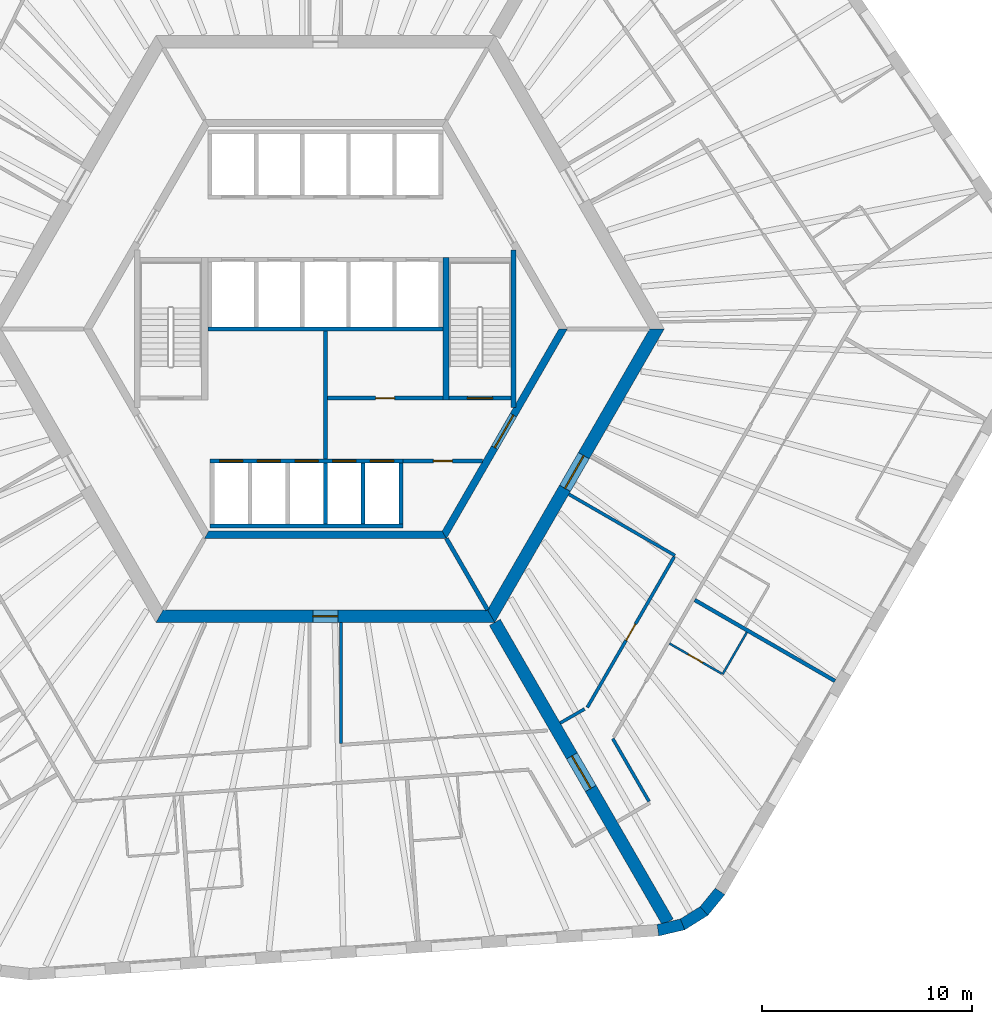
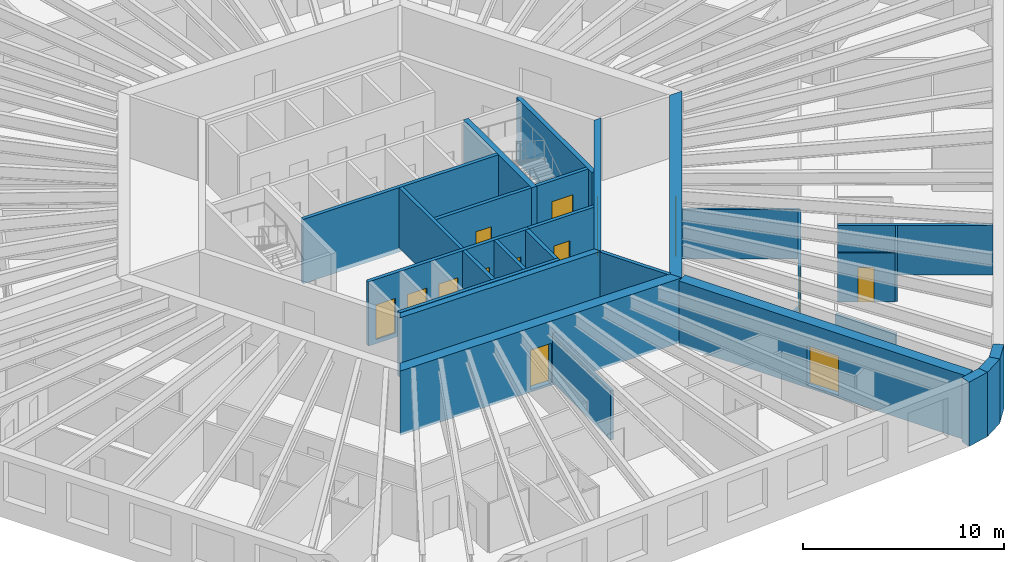
# One storey, part 5 of 12: 29 walls, 14 doors, 14 openings.
"""IFC4 building model written with IfcOpenShell, lengths in metres."""

from ifc_helpers import new_model, si_unit, direction, frame, frame_2d, origin, place, context, subcontext, project, spatial, polyline, rectangle, outline, extrude, material, layer, layer_set, type_object, element, fill, save


model = new_model("IFC4")

# Units and contexts
model_context = context("Model", 3, precision=1e-05, world=origin(), true_north=direction((0.0, 1.0)))
body_context = subcontext(model_context, "Body", "Model", "MODEL_VIEW")
ifc_project = project(units=[si_unit("LENGTHUNIT", "METRE"), si_unit("AREAUNIT", "SQUARE_METRE"), si_unit("VOLUMEUNIT", "CUBIC_METRE"), si_unit("PLANEANGLEUNIT", "RADIAN"), si_unit("MASSUNIT", "GRAM", prefix="KILO")], contexts=[model_context])

# Site, building, storey
site_placement = place(None, origin())
site = spatial("IfcSite", under=ifc_project, at=site_placement, CompositionType="ELEMENT")
building_placement = place(site_placement, origin())
building = spatial("IfcBuilding", under=site, at=building_placement, Name="Tarnside Tower", CompositionType="ELEMENT")
storey_placement = place(building_placement, frame((0.0, 0.0, 88.199951171875)))
storey = spatial("IfcBuildingStorey", under=building, at=storey_placement, Name="L19", CompositionType="ELEMENT", Elevation=88.199951171875)

# Wall
ifc_material_1 = material(Name="Gypsum board partition on steel studs", Category="steel")
ifc_layer_1 = layer(ifc_material_1, 0.10009765625)
ifc_layer_set_1 = layer_set([ifc_layer_1], Name="Bathroom wall 100")
wall_type_1 = type_object("IfcWallType", Name="Bathroom wall 100", PredefinedType="PARTITIONING", material=ifc_layer_set_1)
wall_1_placement = place(storey_placement, frame((20.108154296875, -14.471923828125, 0.0), z_axis=(0.0, 0.0, 1.0), x_axis=(-0.500015210774, -0.866016621662, 0.0)))
element("IfcWall", 1, at=wall_1_placement, inside=storey, type_object=wall_type_1, Name="Bathroom wall 05137", PredefinedType="PARTITIONING", context=body_context, shape_type="SweptSolid", body=[
    extrude(rectangle(XDim=2.31005859375, YDim=0.10009765625, at=frame_2d((1.155029296875, 0.0))), origin(), (0.0, 0.0, 1.0), 2.98779296875),
])

# Wall, opening, door
wall_2_placement = place(storey_placement, frame((18.90966796875, -16.447265625, 0.0), z_axis=(0.0, 0.0, 1.0), x_axis=(-0.866018712932, 0.500011588718, 0.0)))
wall_2 = element("IfcWall", 2, at=wall_2_placement, inside=storey, type_object=wall_type_1, Name="Bathroom wall 05138", PredefinedType="PARTITIONING", context=body_context, shape_type="SweptSolid", body=[
    extrude(rectangle(XDim=2.875, YDim=0.10009765625, at=frame_2d((1.4375, 0.0))), origin(), (0.0, 0.0, 1.0), 2.98779296875),
])
opening_1_placement = place(wall_2_placement, frame((1.050048828125, 0.0, 0.0)))
opening_1 = element("IfcOpeningElement", 3, at=opening_1_placement, cuts=wall_2, Name="Opening D-B1", PredefinedType="OPENING", context=body_context, shape_type="SweptSolid", body=[
    extrude(rectangle(XDim=0.800048828125, YDim=2.10009765625, at=frame_2d((0.39990234375, 1.050048828125))), frame((0.0, 0.06005859375, 0.0), z_axis=(0.0, -1.0, 0.0), x_axis=(1.0, 0.0, 0.0)), (0.0, 0.0, 1.0), 0.1201171875),
])
ifc_material_2 = material(Name="Timber door leaf", Category="wood")
door_type_1 = type_object("IfcDoorType", Name="Bathroom door 800", OperationType="NOTDEFINED", PredefinedType="DOOR", material=ifc_material_2)
door_1_placement = place(opening_1_placement, origin())
door_1 = element("IfcDoor", 4, at=door_1_placement, inside=storey, type_object=door_type_1, Name="Bathroom door 05031", OperationType="SINGLE_SWING_LEFT", OverallHeight=2.10009765625, OverallWidth=0.800048828125, PredefinedType="DOOR", context=body_context, shape_type="SweptSolid", body=[
    extrude(rectangle(XDim=0.800048828125, YDim=2.10009765625, at=frame_2d((0.39990234375, 1.050048828125))), frame((0.0, 0.02490234375, 0.0), z_axis=(0.0, -1.0, 0.0), x_axis=(1.0, 0.0, 0.0)), (0.0, 0.0, 1.0), 0.050048828125),
])
fill(opening_1, door_1)

# Wall
ifc_material_3 = material(Name="Concrete C50/60", Category="concrete")
ifc_layer_2 = layer(ifc_material_3, 0.35009765625)
ifc_layer_set_2 = layer_set([ifc_layer_2], Name="Core block wall 350 C50/60")
wall_type_2 = type_object("IfcWallType", Name="Core block wall 350 C50/60", PredefinedType="SHEAR", material=ifc_layer_set_2)
wall_3_placement = place(storey_placement, frame((-5.672607421875, -9.824951171875, -0.14990234375), z_axis=(0.0, 0.0, 1.0), x_axis=(1.0, 0.0, 0.0)))
element("IfcWall", 5, at=wall_3_placement, inside=storey, type_object=wall_type_2, Name="L19 core block wall face 4", PredefinedType="SHEAR", context=body_context, shape_type="SweptSolid", body=[
    extrude(outline(polyline([(-0.10107421875, -0.175048828125), (11.4462890625, -0.175048828125), (11.244140625, 0.175048828125), (0.10107421875, 0.175048828125), (-0.10107421875, -0.175048828125)])), origin(), (0.0, 0.0, 1.0), 3.89990234375),
])

# Wall, opening, door
wall_4_placement = place(storey_placement, frame((5.672607421875, -9.824951171875, -0.14990234375), z_axis=(0.0, 0.0, 1.0), x_axis=(0.499995046907, 0.866028263435, 0.0)))
wall_4 = element("IfcWall", 6, at=wall_4_placement, inside=storey, type_object=wall_type_2, Name="L19 core block wall face 5", PredefinedType="SHEAR", context=body_context, shape_type="SweptSolid", body=[
    extrude(outline(polyline([(-0.10107421875, -0.175048828125), (11.44580078125, -0.175048828125), (11.24365234375, 0.175048828125), (0.10107421875, 0.175048828125), (-0.10107421875, -0.175048828125)])), origin(), (0.0, 0.0, 1.0), 3.89990234375),
])
opening_2_placement = place(wall_4_placement, frame((4.80126953125, 0.0, 0.14990234375)))
opening_2 = element("IfcOpeningElement", 7, at=opening_2_placement, cuts=wall_4, Name="Opening CD-FFL", PredefinedType="OPENING", context=body_context, shape_type="SweptSolid", body=[
    extrude(rectangle(XDim=1.800048828125, YDim=2.39990234375, at=frame_2d((0.89990234375, 1.199951171875))), frame((0.0, 0.18505859375, 0.0), z_axis=(0.0, -1.0, 0.0), x_axis=(1.0, 0.0, 0.0)), (0.0, 0.0, 1.0), 0.3701171875),
])
ifc_material_4 = material(Name="Steel fire door", Category="steel")
door_type_2 = type_object("IfcDoorType", Name="Firefighting lobby double door FD60S 1800x2400", OperationType="NOTDEFINED", PredefinedType="DOOR", material=ifc_material_4)
door_2_placement = place(opening_2_placement, origin())
door_2 = element("IfcDoor", 8, at=door_2_placement, inside=storey, type_object=door_type_2, Name="L19 lobby block door P4", OperationType="DOUBLE_DOOR_SINGLE_SWING", OverallHeight=2.39990234375, OverallWidth=1.800048828125, PredefinedType="DOOR", context=body_context, shape_type="SweptSolid", body=[
    extrude(rectangle(XDim=1.800048828125, YDim=2.39990234375, at=frame_2d((0.89990234375, 1.199951171875))), frame((0.0, 0.02490234375, 0.0), z_axis=(0.0, -1.0, 0.0), x_axis=(1.0, 0.0, 0.0)), (0.0, 0.0, 1.0), 0.050048828125),
])
fill(opening_2, door_2)

ifc_material_5 = material(Name="Concrete C40/50", Category="concrete")
ifc_layer_3 = layer(ifc_material_5, 0.199951171875)
ifc_layer_set_3 = layer_set([ifc_layer_3], Name="Core room partition 200 C40/50")
wall_type_3 = type_object("IfcWallType", Name="Core room partition 200 C40/50", PredefinedType="PARTITIONING", material=ifc_layer_set_3)
wall_5_placement = place(storey_placement, frame((0.10009765625, -3.300048828125, 0.0), z_axis=(0.0, 0.0, 1.0), x_axis=(1.0, 0.0, 0.0)))
wall_5 = element("IfcWall", 9, at=wall_5_placement, inside=storey, type_object=wall_type_3, Name="L19 core partition R3S1", PredefinedType="PARTITIONING", context=body_context, shape_type="SweptSolid", body=[
    extrude(rectangle(XDim=5.5, YDim=0.199951171875, at=frame_2d((2.75, 0.0))), origin(), (0.0, 0.0, 1.0), 3.650146484375),
])
opening_3_placement = place(wall_5_placement, frame((2.300048828125, 0.0, 0.0)))
opening_3 = element("IfcOpeningElement", 10, at=opening_3_placement, cuts=wall_5, Name="Opening CD-room", PredefinedType="OPENING", context=body_context, shape_type="SweptSolid", body=[
    extrude(rectangle(XDim=0.89990234375, YDim=2.10009765625, at=frame_2d((0.449951171875, 1.050048828125))), frame((0.0, 0.10986328125, 0.0), z_axis=(0.0, -1.0, 0.0), x_axis=(1.0, 0.0, 0.0)), (0.0, 0.0, 1.0), 0.219970703125),
])
door_type_3 = type_object("IfcDoorType", Name="Room door FD60 900x2100", OperationType="NOTDEFINED", PredefinedType="DOOR", material=ifc_material_4)
door_3_placement = place(opening_3_placement, origin())
door_3 = element("IfcDoor", 11, at=door_3_placement, inside=storey, type_object=door_type_3, Name="L19 core room door SR1", OperationType="SINGLE_SWING_LEFT", OverallHeight=2.10009765625, OverallWidth=0.89990234375, PredefinedType="DOOR", context=body_context, shape_type="SweptSolid", body=[
    extrude(rectangle(XDim=0.89990234375, YDim=2.10009765625, at=frame_2d((0.449951171875, 1.050048828125))), frame((0.0, 0.02490234375, 0.0), z_axis=(0.0, -1.0, 0.0), x_axis=(1.0, 0.0, 0.0)), (0.0, 0.0, 1.0), 0.050048828125),
])
fill(opening_3, door_3)

# Wall
wall_6_placement = place(storey_placement, frame((0.0, -6.199951171875, 0.0), z_axis=(0.0, 0.0, 1.0), x_axis=(0.0, 1.0, 0.0)))
element("IfcWall", 12, at=wall_6_placement, inside=storey, type_object=wall_type_3, Name="L19 core partition X0", PredefinedType="PARTITIONING", context=body_context, shape_type="SweptSolid", body=[
    extrude(rectangle(XDim=6.099853515625, YDim=0.199951171875, at=frame_2d((3.0498046875, 0.0))), origin(), (0.0, 0.0, 1.0), 3.650146484375),
])

# Wall, opening, door
wall_7_placement = place(storey_placement, frame((3.699951171875, -6.300048828125, 0.0), z_axis=(0.0, 0.0, 1.0), x_axis=(1.0, 0.0, 0.0)))
wall_7 = element("IfcWall", 13, at=wall_7_placement, inside=storey, type_object=wall_type_3, Name="L19 core partition R4X", PredefinedType="PARTITIONING", context=body_context, shape_type="SweptSolid", body=[
    extrude(rectangle(XDim=3.8056640625, YDim=0.199951171875, at=frame_2d((1.90283203125, 0.0))), origin(), (0.0, 0.0, 1.0), 3.650146484375),
])
opening_4_placement = place(wall_7_placement, frame((1.452880859375, 0.0, 0.0)))
opening_4 = element("IfcOpeningElement", 14, at=opening_4_placement, cuts=wall_7, Name="Opening CD-room", PredefinedType="OPENING", context=body_context, shape_type="SweptSolid", body=[
    extrude(rectangle(XDim=0.89990234375, YDim=2.10009765625, at=frame_2d((0.449951171875, 1.050048828125))), frame((0.0, 0.10986328125, 0.0), z_axis=(0.0, -1.0, 0.0), x_axis=(1.0, 0.0, 0.0)), (0.0, 0.0, 1.0), 0.219970703125),
])
door_4_placement = place(opening_4_placement, origin())
door_4 = element("IfcDoor", 15, at=door_4_placement, inside=storey, type_object=door_type_3, Name="L19 core room door RX", OperationType="SINGLE_SWING_LEFT", OverallHeight=2.10009765625, OverallWidth=0.89990234375, PredefinedType="DOOR", context=body_context, shape_type="SweptSolid", body=[
    extrude(rectangle(XDim=0.89990234375, YDim=2.10009765625, at=frame_2d((0.449951171875, 1.050048828125))), frame((0.0, 0.02490234375, 0.0), z_axis=(0.0, -1.0, 0.0), x_axis=(1.0, 0.0, 0.0)), (0.0, 0.0, 1.0), 0.050048828125),
])
fill(opening_4, door_4)

ifc_material_6 = material(Name="Concrete C80/95", Category="concrete")
ifc_layer_4 = layer(ifc_material_6, 0.60009765625)
ifc_layer_set_4 = layer_set([ifc_layer_4], Name="Core wall Z1 600 C80/95")
wall_type_4 = type_object("IfcWallType", Name="Core wall Z1 600 C80/95", PredefinedType="SHEAR", material=ifc_layer_set_4)
wall_8_placement = place(storey_placement, frame((-7.90966796875, -13.699951171875, -0.14990234375), z_axis=(0.0, 0.0, 1.0), x_axis=(1.0, 0.0, 0.0)))
wall_8 = element("IfcWall", 16, at=wall_8_placement, inside=storey, type_object=wall_type_4, Name="L19 core wall face 4", PredefinedType="SHEAR", context=body_context, shape_type="SweptSolid", body=[
    extrude(outline(polyline([(-0.17333984375, -0.300048828125), (15.99267578125, -0.300048828125), (15.64599609375, 0.300048828125), (0.17333984375, 0.300048828125), (-0.17333984375, -0.300048828125)])), origin(), (0.0, 0.0, 1.0), 3.89990234375),
])
opening_5_placement = place(wall_8_placement, frame((7.309814453125, 0.0, 0.14990234375)))
opening_5 = element("IfcOpeningElement", 17, at=opening_5_placement, cuts=wall_8, Name="Opening CD-RSR", PredefinedType="OPENING", context=body_context, shape_type="SweptSolid", body=[
    extrude(rectangle(XDim=1.199951171875, YDim=2.39990234375, at=frame_2d((0.60009765625, 1.199951171875))), frame((0.0, 0.31005859375, 0.0), z_axis=(0.0, -1.0, 0.0), x_axis=(1.0, 0.0, 0.0)), (0.0, 0.0, 1.0), 0.6201171875),
])
door_type_4 = type_object("IfcDoorType", Name="Riser door FD60 1200x2400", OperationType="NOTDEFINED", PredefinedType="DOOR", material=ifc_material_4)
door_5_placement = place(opening_5_placement, origin())
door_5 = element("IfcDoor", 18, at=door_5_placement, inside=storey, type_object=door_type_4, Name="L19 core door S6", OperationType="SINGLE_SWING_LEFT", OverallHeight=2.39990234375, OverallWidth=1.199951171875, PredefinedType="DOOR", context=body_context, shape_type="SweptSolid", body=[
    extrude(rectangle(XDim=1.199951171875, YDim=2.39990234375, at=frame_2d((0.60009765625, 1.199951171875))), frame((0.0, 0.02490234375, 0.0), z_axis=(0.0, -1.0, 0.0), x_axis=(1.0, 0.0, 0.0)), (0.0, 0.0, 1.0), 0.050048828125),
])
fill(opening_5, door_5)

wall_9_placement = place(storey_placement, frame((7.90966796875, -13.699951171875, -0.14990234375), z_axis=(0.0, 0.0, 1.0), x_axis=(0.499999880136, 0.866025472988, 0.0)))
wall_9 = element("IfcWall", 19, at=wall_9_placement, inside=storey, type_object=wall_type_4, Name="L19 core wall face 5", PredefinedType="SHEAR", context=body_context, shape_type="SweptSolid", body=[
    extrude(outline(polyline([(-0.17333984375, -0.300048828125), (15.99267578125, -0.300048828125), (15.64599609375, 0.300048828125), (0.17333984375, 0.300048828125), (-0.17333984375, -0.300048828125)])), origin(), (0.0, 0.0, 1.0), 3.89990234375),
])
opening_6_placement = place(wall_9_placement, frame((7.03857421875, 0.0, 0.14990234375)))
opening_6 = element("IfcOpeningElement", 20, at=opening_6_placement, cuts=wall_9, Name="Opening CD-FFL", PredefinedType="OPENING", context=body_context, shape_type="SweptSolid", body=[
    extrude(rectangle(XDim=1.800048828125, YDim=2.39990234375, at=frame_2d((0.89990234375, 1.199951171875))), frame((0.0, 0.31005859375, 0.0), z_axis=(0.0, -1.0, 0.0), x_axis=(1.0, 0.0, 0.0)), (0.0, 0.0, 1.0), 0.6201171875),
])
door_6_placement = place(opening_6_placement, origin())
door_6 = element("IfcDoor", 21, at=door_6_placement, inside=storey, type_object=door_type_2, Name="L19 core door P4", OperationType="DOUBLE_DOOR_SINGLE_SWING", OverallHeight=2.39990234375, OverallWidth=1.800048828125, PredefinedType="DOOR", context=body_context, shape_type="SweptSolid", body=[
    extrude(rectangle(XDim=1.800048828125, YDim=2.39990234375, at=frame_2d((0.89990234375, 1.199951171875))), frame((0.0, 0.02490234375, 0.0), z_axis=(0.0, -1.0, 0.0), x_axis=(1.0, 0.0, 0.0)), (0.0, 0.0, 1.0), 0.050048828125),
])
fill(opening_6, door_6)

wall_10_placement = place(storey_placement, frame((8.0830078125, -14.0, -0.14990234375), z_axis=(0.0, 0.0, 1.0), x_axis=(0.499997680643, -0.866026742862, 0.0)))
wall_10 = element("IfcWall", 22, at=wall_10_placement, inside=storey, type_object=wall_type_4, Name="L19 spine wall 3", PredefinedType="SHEAR", context=body_context, shape_type="SweptSolid", body=[
    extrude(rectangle(XDim=16.5087890625, YDim=0.60009765625, at=frame_2d((8.25439453125, 0.0))), origin(), (0.0, 0.0, 1.0), 3.89990234375),
])
opening_7_placement = place(wall_10_placement, frame((7.3544921875, 0.0, 0.14990234375)))
opening_7 = element("IfcOpeningElement", 23, at=opening_7_placement, cuts=wall_10, Name="Opening CD-SPN", PredefinedType="OPENING", context=body_context, shape_type="SweptSolid", body=[
    extrude(rectangle(XDim=1.800048828125, YDim=2.39990234375, at=frame_2d((0.89990234375, 1.199951171875))), frame((0.0, 0.31005859375, 0.0), z_axis=(0.0, -1.0, 0.0), x_axis=(1.0, 0.0, 0.0)), (0.0, 0.0, 1.0), 0.6201171875),
])
door_type_5 = type_object("IfcDoorType", Name="Spine passage double door FD60 1800x2400", OperationType="NOTDEFINED", PredefinedType="DOOR", material=ifc_material_4)
door_7_placement = place(opening_7_placement, origin())
door_7 = element("IfcDoor", 24, at=door_7_placement, inside=storey, type_object=door_type_5, Name="L19 spine passage door 3", OperationType="DOUBLE_DOOR_SINGLE_SWING", OverallHeight=2.39990234375, OverallWidth=1.800048828125, PredefinedType="DOOR", context=body_context, shape_type="SweptSolid", body=[
    extrude(rectangle(XDim=1.800048828125, YDim=2.39990234375, at=frame_2d((0.89990234375, 1.199951171875))), frame((0.0, 0.02490234375, 0.0), z_axis=(0.0, -1.0, 0.0), x_axis=(1.0, 0.0, 0.0)), (0.0, 0.0, 1.0), 0.050048828125),
])
fill(opening_7, door_7)

# Walls
ifc_layer_5 = layer(ifc_material_1, 0.14990234375)
ifc_layer_set_5 = layer_set([ifc_layer_5], Name="Corridor wall 150 EI 60")
wall_type_5 = type_object("IfcWallType", Name="Corridor wall 150 EI 60", PredefinedType="PARTITIONING", material=ifc_layer_set_5)
wall_11_placement = place(storey_placement, frame((0.75, -19.770751953125, 0.0), z_axis=(0.0, 0.0, 1.0), x_axis=(0.0, 1.0, 0.0)))
element("IfcWall", 25, at=wall_11_placement, inside=storey, type_object=wall_type_5, Name="Corridor wall 05054", PredefinedType="PARTITIONING", context=body_context, shape_type="SweptSolid", body=[
    extrude(rectangle(XDim=5.770751953125, YDim=0.14990234375, at=frame_2d((2.88525390625, 0.0))), origin(), (0.0, 0.0, 1.0), 2.98779296875),
])
wall_12_placement = place(storey_placement, frame((15.44140625, -22.545166015625, 0.0), z_axis=(0.0, 0.0, 1.0), x_axis=(-0.500003541824, 0.866023358902, 0.0)))
element("IfcWall", 26, at=wall_12_placement, inside=storey, type_object=wall_type_5, Name="Corridor wall 05056", PredefinedType="PARTITIONING", context=body_context, shape_type="SweptSolid", body=[
    extrude(rectangle(XDim=3.45849609375, YDim=0.14990234375, at=frame_2d((1.729248046875, 0.0))), origin(), (0.0, 0.0, 1.0), 2.98779296875),
])
wall_13_placement = place(storey_placement, frame((11.61376953125, -7.88427734375, 0.0), z_axis=(0.0, 0.0, 1.0), x_axis=(0.866018092707, -0.500012662943, 0.0)))
element("IfcWall", 27, at=wall_13_placement, inside=storey, type_object=wall_type_5, Name="Corridor wall 05074", PredefinedType="PARTITIONING", context=body_context, shape_type="SweptSolid", body=[
    extrude(rectangle(XDim=5.849853515625, YDim=0.14990234375, at=frame_2d((2.9248046875, 0.0))), origin(), (0.0, 0.0, 1.0), 2.98779296875),
])

# Wall, opening, door
wall_14_placement = place(storey_placement, frame((16.642578125, -10.874267578125, 0.0), z_axis=(0.0, 0.0, 1.0), x_axis=(-0.50000192383, -0.866024293058, 0.0)))
wall_14 = element("IfcWall", 28, at=wall_14_placement, inside=storey, type_object=wall_type_5, Name="Corridor wall 05075", PredefinedType="PARTITIONING", context=body_context, shape_type="SweptSolid", body=[
    extrude(rectangle(XDim=8.29296875, YDim=0.14990234375, at=frame_2d((4.146484375, 0.0))), origin(), (0.0, 0.0, 1.0), 2.98779296875),
])
opening_8_placement = place(wall_14_placement, frame((3.696533203125, 0.0, 0.0)))
opening_8 = element("IfcOpeningElement", 29, at=opening_8_placement, cuts=wall_14, Name="Opening D-S1", PredefinedType="OPENING", context=body_context, shape_type="SweptSolid", body=[
    extrude(rectangle(XDim=0.89990234375, YDim=2.10009765625, at=frame_2d((0.449951171875, 1.050048828125))), frame((0.0, 0.0849609375, 0.0), z_axis=(0.0, -1.0, 0.0), x_axis=(1.0, 0.0, 0.0)), (0.0, 0.0, 1.0), 0.169921875),
])
door_type_6 = type_object("IfcDoorType", Name="Service room door 900 FD30S", OperationType="NOTDEFINED", PredefinedType="DOOR", material=ifc_material_2)
door_8_placement = place(opening_8_placement, origin())
door_8 = element("IfcDoor", 30, at=door_8_placement, inside=storey, type_object=door_type_6, Name="Service door 05051", OperationType="SINGLE_SWING_RIGHT", OverallHeight=2.10009765625, OverallWidth=0.89990234375, PredefinedType="DOOR", context=body_context, shape_type="SweptSolid", body=[
    extrude(rectangle(XDim=0.89990234375, YDim=2.10009765625, at=frame_2d((0.449951171875, 1.050048828125))), frame((0.0, 0.02490234375, 0.0), z_axis=(0.0, -1.0, 0.0), x_axis=(1.0, 0.0, 0.0)), (0.0, 0.0, 1.0), 0.050048828125),
])
fill(opening_8, door_8)

# Walls
wall_15_placement = place(storey_placement, frame((12.3662109375, -18.131103515625, 0.0), z_axis=(0.0, 0.0, 1.0), x_axis=(-0.866043397086, -0.499968833392, 0.0)))
element("IfcWall", 31, at=wall_15_placement, inside=storey, type_object=wall_type_5, Name="Corridor wall 05076", PredefinedType="PARTITIONING", context=body_context, shape_type="SweptSolid", body=[
    extrude(rectangle(XDim=1.34375, YDim=0.14990234375, at=frame_2d((0.671875, 0.0))), origin(), (0.0, 0.0, 1.0), 2.98779296875),
])
ifc_layer_6 = layer(ifc_material_1, 0.179931640625)
ifc_layer_set_6 = layer_set([ifc_layer_6], Name="Demising wall 180 EI 60")
wall_type_6 = type_object("IfcWallType", Name="Demising wall 180 EI 60", PredefinedType="PARTITIONING", material=ifc_layer_set_6)
wall_16_placement = place(storey_placement, frame((24.31005859375, -16.7939453125, 0.0), z_axis=(0.0, 0.0, 1.0), x_axis=(-0.866027174938, 0.499996932259, 0.0)))
element("IfcWall", 32, at=wall_16_placement, inside=storey, type_object=wall_type_6, Name="Demising wall 05139", PredefinedType="PARTITIONING", context=body_context, shape_type="SweptSolid", body=[
    extrude(rectangle(XDim=7.72509765625, YDim=0.179931640625, at=frame_2d((3.862548828125, 0.0))), origin(), (0.0, 0.0, 1.0), 2.98779296875),
])
ifc_layer_7 = layer(ifc_material_5, 0.199951171875)
ifc_layer_set_7 = layer_set([ifc_layer_7], Name="Lift shaft wall 200 C40/50")
wall_type_7 = type_object("IfcWallType", Name="Lift shaft wall 200 C40/50", PredefinedType="SHEAR", material=ifc_layer_set_7)
wall_17_placement = place(storey_placement, frame((-5.60009765625, 0.0, -0.25), z_axis=(0.0, 0.0, 1.0), x_axis=(1.0, 0.0, 0.0)))
element("IfcWall", 33, at=wall_17_placement, inside=storey, type_object=wall_type_7, Name="L19 lift shaft back wall R2", PredefinedType="SHEAR", context=body_context, shape_type="SweptSolid", body=[
    extrude(rectangle(XDim=11.2001953125, YDim=0.199951171875, at=frame_2d((5.60009765625, 0.0))), origin(), (0.0, 0.0, 1.0), 3.900146484375),
])

# Wall, openings, doors
wall_18_placement = place(storey_placement, frame((-5.5, -6.300048828125, -0.25), z_axis=(0.0, 0.0, 1.0), x_axis=(1.0, 0.0, 0.0)))
wall_18 = element("IfcWall", 34, at=wall_18_placement, inside=storey, type_object=wall_type_7, Name="L19 lift shaft front wall R4", PredefinedType="SHEAR", context=body_context, shape_type="SweptSolid", body=[
    extrude(rectangle(XDim=9.199951171875, YDim=0.199951171875, at=frame_2d((4.60009765625, 0.0))), origin(), (0.0, 0.0, 1.0), 3.900146484375),
])
opening_9_placement = place(wall_18_placement, frame((0.449951171875, 0.0, 0.25)))
opening_9 = element("IfcOpeningElement", 35, at=opening_9_placement, cuts=wall_18, Name="Opening LDF", PredefinedType="OPENING", context=body_context, shape_type="SweptSolid", body=[
    extrude(rectangle(XDim=1.10009765625, YDim=2.10009765625, at=frame_2d((0.550048828125, 1.050048828125))), frame((0.0, 0.10986328125, 0.0), z_axis=(0.0, -1.0, 0.0), x_axis=(1.0, 0.0, 0.0)), (0.0, 0.0, 1.0), 0.219970703125),
])
opening_10_placement = place(wall_18_placement, frame((2.25, 0.0, 0.25)))
opening_10 = element("IfcOpeningElement", 36, at=opening_10_placement, cuts=wall_18, Name="Opening LDF", PredefinedType="OPENING", context=body_context, shape_type="SweptSolid", body=[
    extrude(rectangle(XDim=1.10009765625, YDim=2.10009765625, at=frame_2d((0.550048828125, 1.050048828125))), frame((0.0, 0.10986328125, 0.0), z_axis=(0.0, -1.0, 0.0), x_axis=(1.0, 0.0, 0.0)), (0.0, 0.0, 1.0), 0.219970703125),
])
opening_11_placement = place(wall_18_placement, frame((4.050048828125, 0.0, 0.25)))
opening_11 = element("IfcOpeningElement", 37, at=opening_11_placement, cuts=wall_18, Name="Opening LDF", PredefinedType="OPENING", context=body_context, shape_type="SweptSolid", body=[
    extrude(rectangle(XDim=1.10009765625, YDim=2.10009765625, at=frame_2d((0.550048828125, 1.050048828125))), frame((0.0, 0.10986328125, 0.0), z_axis=(0.0, -1.0, 0.0), x_axis=(1.0, 0.0, 0.0)), (0.0, 0.0, 1.0), 0.219970703125),
])
opening_12_placement = place(wall_18_placement, frame((5.85009765625, 0.0, 0.25)))
opening_12 = element("IfcOpeningElement", 38, at=opening_12_placement, cuts=wall_18, Name="Opening LDF", PredefinedType="OPENING", context=body_context, shape_type="SweptSolid", body=[
    extrude(rectangle(XDim=1.10009765625, YDim=2.10009765625, at=frame_2d((0.550048828125, 1.050048828125))), frame((0.0, 0.10986328125, 0.0), z_axis=(0.0, -1.0, 0.0), x_axis=(1.0, 0.0, 0.0)), (0.0, 0.0, 1.0), 0.219970703125),
])
opening_13_placement = place(wall_18_placement, frame((7.64990234375, 0.0, 0.25)))
opening_13 = element("IfcOpeningElement", 39, at=opening_13_placement, cuts=wall_18, Name="Opening LDF", PredefinedType="OPENING", context=body_context, shape_type="SweptSolid", body=[
    extrude(rectangle(XDim=1.10009765625, YDim=2.10009765625, at=frame_2d((0.550048828125, 1.050048828125))), frame((0.0, 0.10986328125, 0.0), z_axis=(0.0, -1.0, 0.0), x_axis=(1.0, 0.0, 0.0)), (0.0, 0.0, 1.0), 0.219970703125),
])
ifc_material_7 = material(Name="Stainless steel", Category="steel")
door_type_7 = type_object("IfcDoorType", Name="Lift landing door 1100x2100 EI 120", OperationType="NOTDEFINED", PredefinedType="DOOR", material=ifc_material_7)
door_9_placement = place(opening_9_placement, origin())
door_9 = element("IfcDoor", 40, at=door_9_placement, inside=storey, type_object=door_type_7, Name="Firefighting lift 1 landing door L19", OperationType="SLIDING_TO_LEFT", OverallHeight=2.10009765625, OverallWidth=1.10009765625, PredefinedType="DOOR", context=body_context, shape_type="SweptSolid", body=[
    extrude(rectangle(XDim=1.10009765625, YDim=2.10009765625, at=frame_2d((0.550048828125, 1.050048828125))), frame((0.0, 0.02490234375, 0.0), z_axis=(0.0, -1.0, 0.0), x_axis=(1.0, 0.0, 0.0)), (0.0, 0.0, 1.0), 0.050048828125),
])
fill(opening_9, door_9)
door_10_placement = place(opening_10_placement, origin())
door_10 = element("IfcDoor", 41, at=door_10_placement, inside=storey, type_object=door_type_7, Name="Firefighting lift 2 landing door L19", OperationType="SLIDING_TO_LEFT", OverallHeight=2.10009765625, OverallWidth=1.10009765625, PredefinedType="DOOR", context=body_context, shape_type="SweptSolid", body=[
    extrude(rectangle(XDim=1.10009765625, YDim=2.10009765625, at=frame_2d((0.550048828125, 1.050048828125))), frame((0.0, 0.02490234375, 0.0), z_axis=(0.0, -1.0, 0.0), x_axis=(1.0, 0.0, 0.0)), (0.0, 0.0, 1.0), 0.050048828125),
])
fill(opening_10, door_10)
door_11_placement = place(opening_11_placement, origin())
door_11 = element("IfcDoor", 42, at=door_11_placement, inside=storey, type_object=door_type_7, Name="Firefighting lift 3 landing door L19", OperationType="SLIDING_TO_LEFT", OverallHeight=2.10009765625, OverallWidth=1.10009765625, PredefinedType="DOOR", context=body_context, shape_type="SweptSolid", body=[
    extrude(rectangle(XDim=1.10009765625, YDim=2.10009765625, at=frame_2d((0.550048828125, 1.050048828125))), frame((0.0, 0.02490234375, 0.0), z_axis=(0.0, -1.0, 0.0), x_axis=(1.0, 0.0, 0.0)), (0.0, 0.0, 1.0), 0.050048828125),
])
fill(opening_11, door_11)
door_12_placement = place(opening_12_placement, origin())
door_12 = element("IfcDoor", 43, at=door_12_placement, inside=storey, type_object=door_type_7, Name="Firefighting lift 4 landing door L19", OperationType="SLIDING_TO_LEFT", OverallHeight=2.10009765625, OverallWidth=1.10009765625, PredefinedType="DOOR", context=body_context, shape_type="SweptSolid", body=[
    extrude(rectangle(XDim=1.10009765625, YDim=2.10009765625, at=frame_2d((0.550048828125, 1.050048828125))), frame((0.0, 0.02490234375, 0.0), z_axis=(0.0, -1.0, 0.0), x_axis=(1.0, 0.0, 0.0)), (0.0, 0.0, 1.0), 0.050048828125),
])
fill(opening_12, door_12)
door_13_placement = place(opening_13_placement, origin())
door_13 = element("IfcDoor", 44, at=door_13_placement, inside=storey, type_object=door_type_7, Name="Firefighting lift 5 landing door L19", OperationType="SLIDING_TO_LEFT", OverallHeight=2.10009765625, OverallWidth=1.10009765625, PredefinedType="DOOR", context=body_context, shape_type="SweptSolid", body=[
    extrude(rectangle(XDim=1.10009765625, YDim=2.10009765625, at=frame_2d((0.550048828125, 1.050048828125))), frame((0.0, 0.02490234375, 0.0), z_axis=(0.0, -1.0, 0.0), x_axis=(1.0, 0.0, 0.0)), (0.0, 0.0, 1.0), 0.050048828125),
])
fill(opening_13, door_13)

# Walls
wall_19_placement = place(storey_placement, frame((-5.5, -9.39990234375, -0.25), z_axis=(0.0, 0.0, 1.0), x_axis=(1.0, 0.0, 0.0)))
element("IfcWall", 45, at=wall_19_placement, inside=storey, type_object=wall_type_7, Name="L19 lift shaft back wall R4", PredefinedType="SHEAR", context=body_context, shape_type="SweptSolid", body=[
    extrude(rectangle(XDim=9.199951171875, YDim=0.199951171875, at=frame_2d((4.60009765625, 0.0))), origin(), (0.0, 0.0, 1.0), 3.900146484375),
])
for number, where, z_axis, x_axis, name in (
    (46, (0.0, -9.300048828125, -0.25), (0.0, 0.0, 1.0), (0.0, 1.0, 0.0), "L19 lift shaft partition R44"),
    (47, (1.800048828125, -9.300048828125, -0.25), (0.0, 0.0, 1.0), (0.0, 1.0, 0.0), "L19 lift shaft partition R45"),
    (48, (3.60009765625, -9.300048828125, -0.25), (0.0, 0.0, 1.0), (0.0, 1.0, 0.0), "L19 lift shaft partition R46"),
):
    element("IfcWall", number, at=place(storey_placement, frame(where, z_axis=z_axis, x_axis=x_axis)), inside=storey, type_object=wall_type_7, Name=name, PredefinedType="SHEAR", context=body_context, shape_type="SweptSolid", body=[
        extrude(rectangle(XDim=2.900146484375, YDim=0.199951171875, at=frame_2d((1.4501953125, 0.0))), origin(), (0.0, 0.0, 1.0), 3.900146484375),
    ])
wall_20_placement = place(storey_placement, frame((5.7734375, -10.0, -0.14990234375), z_axis=(0.0, 0.0, 1.0), x_axis=(0.500038251005, -0.86600331843, 0.0)))
element("IfcWall", 49, at=wall_20_placement, inside=storey, type_object=wall_type_7, Name="L19 core partition AR300", PredefinedType="SHEAR", context=body_context, shape_type="SweptSolid", body=[
    extrude(rectangle(XDim=3.926025390625, YDim=0.199951171875, at=frame_2d((1.962890625, 0.0))), origin(), (0.0, 0.0, 1.0), 3.89990234375),
])

# Wall, opening, door
wall_21_placement = place(storey_placement, frame((5.89990234375, -3.300048828125, -0.25), z_axis=(0.0, 0.0, 1.0), x_axis=(1.0, 0.0, 0.0)))
wall_21 = element("IfcWall", 50, at=wall_21_placement, inside=storey, type_object=wall_type_7, Name="L19 stair 1 enclosure cap wall s", PredefinedType="SHEAR", context=body_context, shape_type="SweptSolid", body=[
    extrude(rectangle(XDim=2.9501953125, YDim=0.199951171875, at=frame_2d((1.47509765625, 0.0))), origin(), (0.0, 0.0, 1.0), 3.900146484375),
])
opening_14_placement = place(wall_21_placement, frame((0.875, 0.0, 0.25)))
opening_14 = element("IfcOpeningElement", 51, at=opening_14_placement, cuts=wall_21, Name="Opening CD-STR", PredefinedType="OPENING", context=body_context, shape_type="SweptSolid", body=[
    extrude(rectangle(XDim=1.199951171875, YDim=2.39990234375, at=frame_2d((0.60009765625, 1.199951171875))), frame((0.0, 0.10986328125, 0.0), z_axis=(0.0, -1.0, 0.0), x_axis=(1.0, 0.0, 0.0)), (0.0, 0.0, 1.0), 0.219970703125),
])
door_type_8 = type_object("IfcDoorType", Name="Stair door FD60S 1200x2400", OperationType="NOTDEFINED", PredefinedType="DOOR", material=ifc_material_4)
door_14_placement = place(opening_14_placement, origin())
door_14 = element("IfcDoor", 52, at=door_14_placement, inside=storey, type_object=door_type_8, Name="L19 stair 1 door", OperationType="SINGLE_SWING_LEFT", OverallHeight=2.39990234375, OverallWidth=1.199951171875, PredefinedType="DOOR", context=body_context, shape_type="SweptSolid", body=[
    extrude(rectangle(XDim=1.199951171875, YDim=2.39990234375, at=frame_2d((0.60009765625, 1.199951171875))), frame((0.0, 0.02490234375, 0.0), z_axis=(0.0, -1.0, 0.0), x_axis=(1.0, 0.0, 0.0)), (0.0, 0.0, 1.0), 0.050048828125),
])
fill(opening_14, door_14)

# Walls
ifc_layer_8 = layer(ifc_material_5, 0.25)
ifc_layer_set_8 = layer_set([ifc_layer_8], Name="Stair enclosure wall 250 C40/50")
wall_type_8 = type_object("IfcWallType", Name="Stair enclosure wall 250 C40/50", PredefinedType="SHEAR", material=ifc_layer_set_8)
wall_22_placement = place(storey_placement, frame((8.97509765625, -3.7548828125, -0.25), z_axis=(0.0, 0.0, 1.0), x_axis=(0.0, 1.0, 0.0)))
element("IfcWall", 53, at=wall_22_placement, inside=storey, type_object=wall_type_8, Name="L19 stair 1 enclosure wall outer", PredefinedType="SHEAR", context=body_context, shape_type="SweptSolid", body=[
    extrude(rectangle(XDim=7.509765625, YDim=0.25, at=frame_2d((3.7548828125, 0.0))), origin(), (0.0, 0.0, 1.0), 3.900146484375),
])
ifc_layer_9 = layer(ifc_material_5, 0.300048828125)
ifc_layer_set_9 = layer_set([ifc_layer_9], Name="Stair enclosure wall 300 C40/50")
wall_type_9 = type_object("IfcWallType", Name="Stair enclosure wall 300 C40/50", PredefinedType="SHEAR", material=ifc_layer_set_9)
wall_23_placement = place(storey_placement, frame((5.75, -3.39990234375, -0.25), z_axis=(0.0, 0.0, 1.0), x_axis=(0.0, 1.0, 0.0)))
element("IfcWall", 54, at=wall_23_placement, inside=storey, type_object=wall_type_9, Name="L19 stair 1 enclosure wall inner", PredefinedType="SHEAR", context=body_context, shape_type="SweptSolid", body=[
    extrude(rectangle(XDim=6.7998046875, YDim=0.300048828125, at=frame_2d((3.39990234375, 0.0))), origin(), (0.0, 0.0, 1.0), 3.900146484375),
])
ifc_material_8 = material(Name="Facing brick", Category="masonry")
ifc_layer_10 = layer(ifc_material_8, 0.10205078125)
ifc_material_9 = material(Name="Concrete C60/75 precast", Category="concrete")
ifc_layer_11 = layer(ifc_material_9, 0.347900390625)
ifc_material_10 = material(Name="Mineral wool insulation")
ifc_layer_12 = layer(ifc_material_10, 0.10009765625)
ifc_layer_set_10 = layer_set([ifc_layer_10, ifc_layer_11, ifc_layer_12], Name="Tube wall 550 brick faced")
wall_type_10 = type_object("IfcWallType", Name="Tube wall 550 brick faced", PredefinedType="SOLIDWALL", material=ifc_layer_set_10)
wall_24_placement = place(storey_placement, frame((15.8642578125, -28.688232421875, -0.14990234375), z_axis=(0.0, 0.0, 1.0), x_axis=(0.973063591128, 0.230536868247, 0.0)))
element("IfcWall", 55, at=wall_24_placement, inside=storey, type_object=wall_type_10, Name="Tube wall L19 F4 chord 13", PredefinedType="SOLIDWALL", context=body_context, shape_type="SweptSolid", body=[
    extrude(outline(polyline([(-0.0224609375, -0.27490234375), (1.25341796875, -0.27490234375), (1.1630859375, 0.27490234375), (0.0224609375, 0.27490234375), (-0.0224609375, -0.27490234375)])), origin(), (0.0, 0.0, 1.0), 3.89990234375),
])
wall_25_placement = place(storey_placement, frame((17.0400390625, -28.40966796875, -0.14990234375), z_axis=(0.0, 0.0, 1.0), x_axis=(0.847952888306, 0.530071598195, 0.0)))
element("IfcWall", 56, at=wall_25_placement, inside=storey, type_object=wall_type_10, Name="Tube wall L19 F4 chord 14", PredefinedType="SOLIDWALL", context=body_context, shape_type="SweptSolid", body=[
    extrude(outline(polyline([(-0.045166015625, -0.27490234375), (1.253173828125, -0.27490234375), (1.162841796875, 0.27490234375), (0.045166015625, 0.27490234375), (-0.045166015625, -0.27490234375)])), origin(), (0.0, 0.0, 1.0), 3.89990234375),
])
wall_26_placement = place(storey_placement, frame((18.064453125, -27.769287109375, -0.14990234375), z_axis=(0.0, 0.0, 1.0), x_axis=(0.633842757806, 0.773461930787, 0.0)))
element("IfcWall", 57, at=wall_26_placement, inside=storey, type_object=wall_type_10, Name="Tube wall L19 F4 chord 15", PredefinedType="SOLIDWALL", context=body_context, shape_type="SweptSolid", body=[
    extrude(outline(polyline([(-0.045166015625, -0.27490234375), (1.230712890625, -0.27490234375), (1.185791015625, 0.27490234375), (0.045166015625, 0.27490234375), (-0.045166015625, -0.27490234375)])), origin(), (0.0, 0.0, 1.0), 3.89990234375),
])

save(model, "model.ifc")
